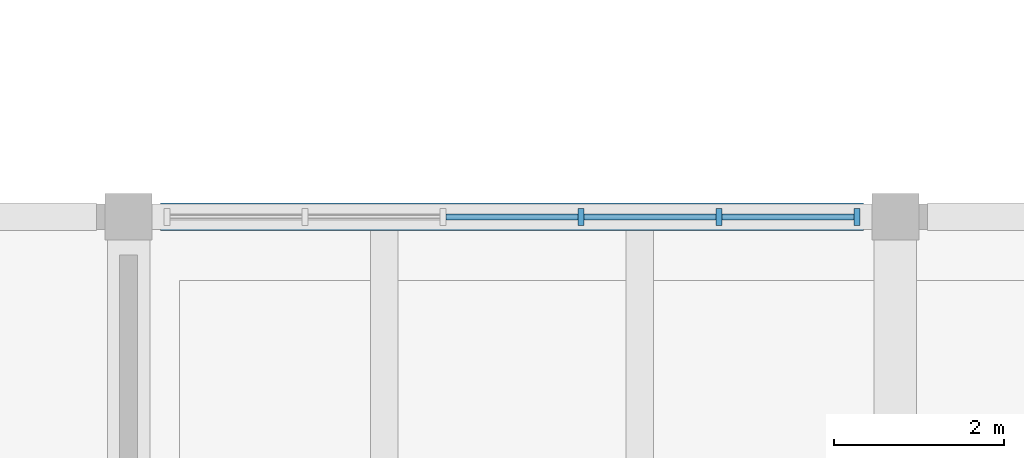
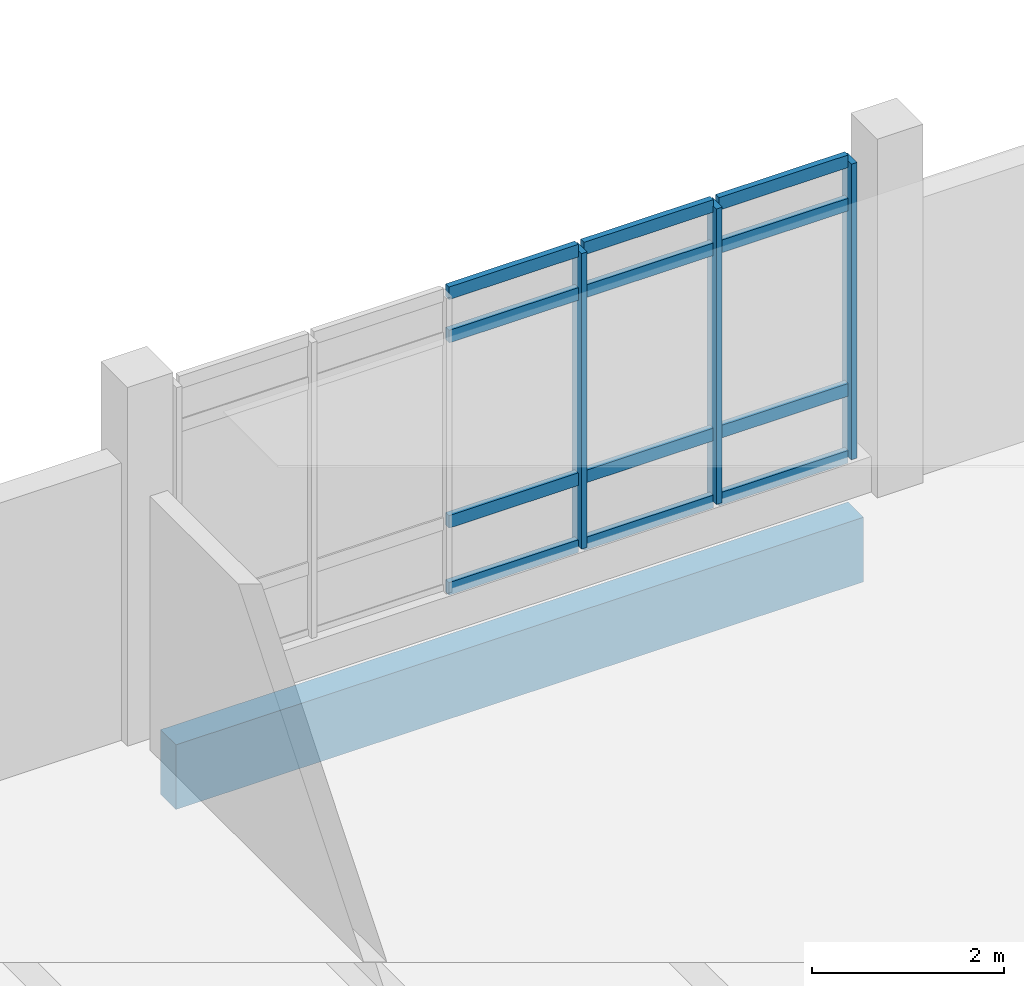
# One storey, part 20 of 63: 15 members, 1 beam, 1 element without a shape of its own.
"""IFC4 building model written with IfcOpenShell, lengths in metres."""

from ifc_helpers import new_model, si_unit, direction, frame, origin, origin_2d, place, context, subcontext, project, spatial, rectangle, extrude, material, layer, layer_set, material_profile, profile_set, type_object, element, aggregate, save


model = new_model("IFC4")

# Units and contexts
model_context = context("Model", 3, precision=1e-05, world=origin(), true_north=direction((0.0, 1.0)))
body_context = subcontext(model_context, "Body", "Model", "MODEL_VIEW")
ifc_project = project(units=[si_unit("LENGTHUNIT", "METRE"), si_unit("AREAUNIT", "SQUARE_METRE"), si_unit("VOLUMEUNIT", "CUBIC_METRE"), si_unit("PLANEANGLEUNIT", "RADIAN"), si_unit("MASSUNIT", "GRAM", prefix="KILO")], contexts=[model_context])

# Site, building, storey
site_placement = place(None, origin())
site = spatial("IfcSite", under=ifc_project, at=site_placement, CompositionType="ELEMENT")
building_placement = place(site_placement, origin())
building = spatial("IfcBuilding", under=site, at=building_placement, Name="Zacnel Wholesale Market", CompositionType="ELEMENT")
storey_placement = place(building_placement, frame((0.0, 0.0, 11.199951171875)))
storey = spatial("IfcBuildingStorey", under=building, at=storey_placement, Name="L03", CompositionType="ELEMENT", Elevation=11.199951171875)

# Beam
ifc_material_1 = material(Name="Precast concrete C45/55", Category="concrete")
ifc_material_profile_1 = material_profile(ifc_material_1, rectangle(XDim=0.320068359375, YDim=0.820068359375, at=origin_2d()), Name="SP 320x820")
ifc_profile_set_1 = profile_set([ifc_material_profile_1], Name="Precast concrete C45/55")
beam_type = type_object("IfcBeamType", Name="BM-SP820", PredefinedType="SPANDREL", material=ifc_profile_set_1)
beam_placement = place(storey_placement, frame((198.375, 95.699951171875, -0.68994140625), z_axis=(1.0, 0.0, 0.0), x_axis=(0.0, 1.0, 0.0)))
element("IfcBeam", 1, at=beam_placement, inside=storey, type_object=beam_type, Name="Precast girder X-0728", PredefinedType="SPANDREL", context=body_context, shape_type="SweptSolid", body=[
    extrude(rectangle(XDim=0.320068359375, YDim=0.820068359375, at=origin_2d()), origin(), (0.0, 0.0, 1.0), 8.25),
])

# Curtain wall, members
ifc_material_2 = material(Name="Anodised aluminium", Category="aluminium")
ifc_layer = layer(ifc_material_2, 0.159912109375)
ifc_layer_set = layer_set([ifc_layer], Name="Anodised aluminium")
curtain_wall_type = type_object("IfcCurtainWallType", Name="CW-COURT-4500", PredefinedType="NOTDEFINED", material=ifc_layer_set)
curtain_wall_placement = place(storey_placement, origin())
curtain_wall = element("IfcCurtainWall", 2, at=curtain_wall_placement, inside=storey, type_object=curtain_wall_type, Name="Curtain wall ENV-R2-CW-L03-050", PredefinedType="NOTDEFINED")
ifc_material_3 = material(Name="Anodised aluminium", Category="aluminium")
ifc_material_profile_2 = material_profile(ifc_material_3, rectangle(XDim=0.070068359375, YDim=0.199951171875, at=origin_2d()), Name="AW-MULLION 70x200")
ifc_profile_set_2 = profile_set([ifc_material_profile_2], Name="Anodised aluminium")
member_type_1 = type_object("IfcMemberType", Name="CWM-MUL-02", PredefinedType="MULLION", material=ifc_profile_set_2)
member_1_placement = place(storey_placement, frame((203.31005859375, 95.699951171875, 0.449951171875), z_axis=(0.0, 0.0, 1.0), x_axis=(1.0, 0.0, 0.0)))
member_1 = element("IfcMember", 3, at=member_1_placement, type_object=member_type_1, Name="ENV-R2-CW-L03-050 mullion 04", PredefinedType="MULLION", context=body_context, shape_type="SweptSolid", body=[
    extrude(rectangle(XDim=0.070068359375, YDim=0.199951171875, at=origin_2d()), origin(), (0.0, 0.0, 1.0), 3.75),
])
member_2_placement = place(storey_placement, frame((204.929931640625, 95.699951171875, 0.449951171875), z_axis=(0.0, 0.0, 1.0), x_axis=(1.0, 0.0, 0.0)))
member_2 = element("IfcMember", 4, at=member_2_placement, type_object=member_type_1, Name="ENV-R2-CW-L03-050 mullion 05", PredefinedType="MULLION", context=body_context, shape_type="SweptSolid", body=[
    extrude(rectangle(XDim=0.070068359375, YDim=0.199951171875, at=origin_2d()), origin(), (0.0, 0.0, 1.0), 3.75),
])
member_3_placement = place(storey_placement, frame((206.550048828125, 95.699951171875, 0.449951171875), z_axis=(0.0, 0.0, 1.0), x_axis=(1.0, 0.0, 0.0)))
member_3 = element("IfcMember", 5, at=member_3_placement, type_object=member_type_1, Name="ENV-R2-CW-L03-050 mullion 06", PredefinedType="MULLION", context=body_context, shape_type="SweptSolid", body=[
    extrude(rectangle(XDim=0.070068359375, YDim=0.199951171875, at=origin_2d()), origin(), (0.0, 0.0, 1.0), 3.75),
])
ifc_material_4 = material(Name="Anodised aluminium", Category="aluminium")
ifc_material_profile_3 = material_profile(ifc_material_4, rectangle(XDim=0.070068359375, YDim=0.159912109375, at=origin_2d()), Name="AW-TRANSOM 70x160")
ifc_profile_set_3 = profile_set([ifc_material_profile_3], Name="Anodised aluminium")
member_type_2 = type_object("IfcMemberType", Name="CWM-TRN-02", PredefinedType="USERDEFINED", material=ifc_profile_set_3)
member_4_placement = place(storey_placement, frame((201.72509765625, 95.699951171875, 0.449951171875), z_axis=(1.0, 0.0, 0.0), x_axis=(0.0, 1.0, 0.0)))
member_4 = element("IfcMember", 6, at=member_4_placement, type_object=member_type_2, Name="ENV-R2-CW-L03-050 transom 3-1", ObjectType="TRANSOM", PredefinedType="USERDEFINED", context=body_context, shape_type="SweptSolid", body=[
    extrude(rectangle(XDim=0.070068359375, YDim=0.159912109375, at=origin_2d()), origin(), (0.0, 0.0, 1.0), 1.5498046875),
])
member_5_placement = place(storey_placement, frame((201.72509765625, 95.699951171875, 1.300048828125), z_axis=(1.0, 0.0, 0.0), x_axis=(0.0, 1.0, 0.0)))
member_5 = element("IfcMember", 7, at=member_5_placement, type_object=member_type_2, Name="ENV-R2-CW-L03-050 transom 3-2", ObjectType="TRANSOM", PredefinedType="USERDEFINED", context=body_context, shape_type="SweptSolid", body=[
    extrude(rectangle(XDim=0.070068359375, YDim=0.159912109375, at=origin_2d()), origin(), (0.0, 0.0, 1.0), 1.5498046875),
])
member_6_placement = place(storey_placement, frame((201.72509765625, 95.699951171875, 3.650146484375), z_axis=(1.0, 0.0, 0.0), x_axis=(0.0, 1.0, 0.0)))
member_6 = element("IfcMember", 8, at=member_6_placement, type_object=member_type_2, Name="ENV-R2-CW-L03-050 transom 3-3", ObjectType="TRANSOM", PredefinedType="USERDEFINED", context=body_context, shape_type="SweptSolid", body=[
    extrude(rectangle(XDim=0.070068359375, YDim=0.159912109375, at=origin_2d()), origin(), (0.0, 0.0, 1.0), 1.5498046875),
])
member_7_placement = place(storey_placement, frame((201.72509765625, 95.699951171875, 4.199951171875), z_axis=(1.0, 0.0, 0.0), x_axis=(0.0, 1.0, 0.0)))
member_7 = element("IfcMember", 9, at=member_7_placement, type_object=member_type_2, Name="ENV-R2-CW-L03-050 transom 3-4", ObjectType="TRANSOM", PredefinedType="USERDEFINED", context=body_context, shape_type="SweptSolid", body=[
    extrude(rectangle(XDim=0.070068359375, YDim=0.159912109375, at=origin_2d()), origin(), (0.0, 0.0, 1.0), 1.5498046875),
])
member_8_placement = place(storey_placement, frame((203.344970703125, 95.699951171875, 0.449951171875), z_axis=(1.0, 0.0, 0.0), x_axis=(0.0, 1.0, 0.0)))
member_8 = element("IfcMember", 10, at=member_8_placement, type_object=member_type_2, Name="ENV-R2-CW-L03-050 transom 4-1", ObjectType="TRANSOM", PredefinedType="USERDEFINED", context=body_context, shape_type="SweptSolid", body=[
    extrude(rectangle(XDim=0.070068359375, YDim=0.159912109375, at=origin_2d()), origin(), (0.0, 0.0, 1.0), 1.550048828125),
])
member_9_placement = place(storey_placement, frame((203.344970703125, 95.699951171875, 1.300048828125), z_axis=(1.0, 0.0, 0.0), x_axis=(0.0, 1.0, 0.0)))
member_9 = element("IfcMember", 11, at=member_9_placement, type_object=member_type_2, Name="ENV-R2-CW-L03-050 transom 4-2", ObjectType="TRANSOM", PredefinedType="USERDEFINED", context=body_context, shape_type="SweptSolid", body=[
    extrude(rectangle(XDim=0.070068359375, YDim=0.159912109375, at=origin_2d()), origin(), (0.0, 0.0, 1.0), 1.550048828125),
])
member_10_placement = place(storey_placement, frame((203.344970703125, 95.699951171875, 3.650146484375), z_axis=(1.0, 0.0, 0.0), x_axis=(0.0, 1.0, 0.0)))
member_10 = element("IfcMember", 12, at=member_10_placement, type_object=member_type_2, Name="ENV-R2-CW-L03-050 transom 4-3", ObjectType="TRANSOM", PredefinedType="USERDEFINED", context=body_context, shape_type="SweptSolid", body=[
    extrude(rectangle(XDim=0.070068359375, YDim=0.159912109375, at=origin_2d()), origin(), (0.0, 0.0, 1.0), 1.550048828125),
])
member_11_placement = place(storey_placement, frame((203.344970703125, 95.699951171875, 4.199951171875), z_axis=(1.0, 0.0, 0.0), x_axis=(0.0, 1.0, 0.0)))
member_11 = element("IfcMember", 13, at=member_11_placement, type_object=member_type_2, Name="ENV-R2-CW-L03-050 transom 4-4", ObjectType="TRANSOM", PredefinedType="USERDEFINED", context=body_context, shape_type="SweptSolid", body=[
    extrude(rectangle(XDim=0.070068359375, YDim=0.159912109375, at=origin_2d()), origin(), (0.0, 0.0, 1.0), 1.550048828125),
])
member_12_placement = place(storey_placement, frame((204.965087890625, 95.699951171875, 0.449951171875), z_axis=(1.0, 0.0, 0.0), x_axis=(0.0, 1.0, 0.0)))
member_12 = element("IfcMember", 14, at=member_12_placement, type_object=member_type_2, Name="ENV-R2-CW-L03-050 transom 5-1", ObjectType="TRANSOM", PredefinedType="USERDEFINED", context=body_context, shape_type="SweptSolid", body=[
    extrude(rectangle(XDim=0.070068359375, YDim=0.159912109375, at=origin_2d()), origin(), (0.0, 0.0, 1.0), 1.5498046875),
])
member_13_placement = place(storey_placement, frame((204.965087890625, 95.699951171875, 1.300048828125), z_axis=(1.0, 0.0, 0.0), x_axis=(0.0, 1.0, 0.0)))
member_13 = element("IfcMember", 15, at=member_13_placement, type_object=member_type_2, Name="ENV-R2-CW-L03-050 transom 5-2", ObjectType="TRANSOM", PredefinedType="USERDEFINED", context=body_context, shape_type="SweptSolid", body=[
    extrude(rectangle(XDim=0.070068359375, YDim=0.159912109375, at=origin_2d()), origin(), (0.0, 0.0, 1.0), 1.5498046875),
])
member_14_placement = place(storey_placement, frame((204.965087890625, 95.699951171875, 3.650146484375), z_axis=(1.0, 0.0, 0.0), x_axis=(0.0, 1.0, 0.0)))
member_14 = element("IfcMember", 16, at=member_14_placement, type_object=member_type_2, Name="ENV-R2-CW-L03-050 transom 5-3", ObjectType="TRANSOM", PredefinedType="USERDEFINED", context=body_context, shape_type="SweptSolid", body=[
    extrude(rectangle(XDim=0.070068359375, YDim=0.159912109375, at=origin_2d()), origin(), (0.0, 0.0, 1.0), 1.5498046875),
])
member_15_placement = place(storey_placement, frame((204.965087890625, 95.699951171875, 4.199951171875), z_axis=(1.0, 0.0, 0.0), x_axis=(0.0, 1.0, 0.0)))
member_15 = element("IfcMember", 17, at=member_15_placement, type_object=member_type_2, Name="ENV-R2-CW-L03-050 transom 5-4", ObjectType="TRANSOM", PredefinedType="USERDEFINED", context=body_context, shape_type="SweptSolid", body=[
    extrude(rectangle(XDim=0.070068359375, YDim=0.159912109375, at=origin_2d()), origin(), (0.0, 0.0, 1.0), 1.5498046875),
])
aggregate(curtain_wall, [member_1, member_2, member_3, member_4, member_5, member_6, member_7, member_8, member_9, member_10, member_11, member_12, member_13, member_14, member_15])

save(model, "model.ifc")
